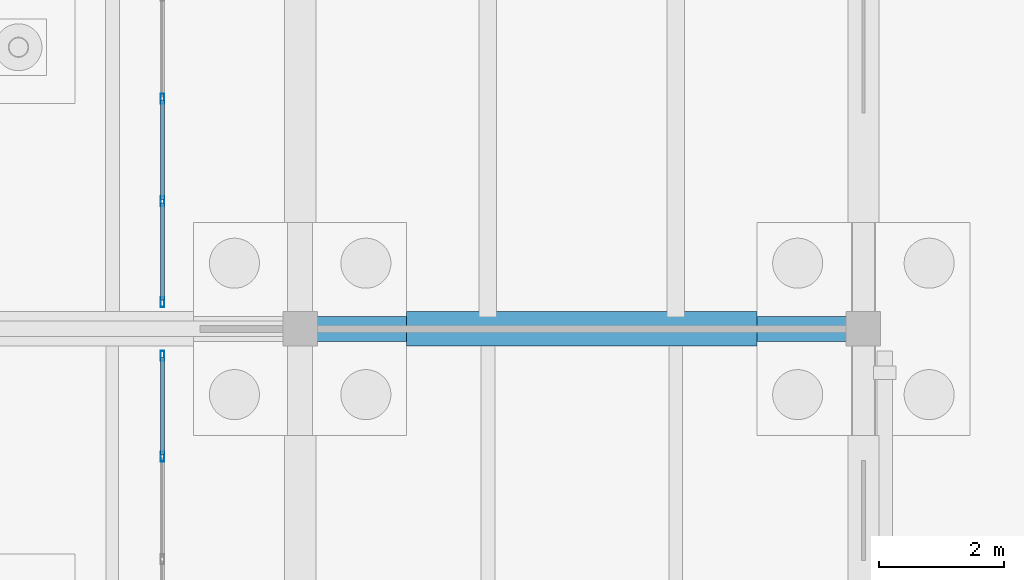
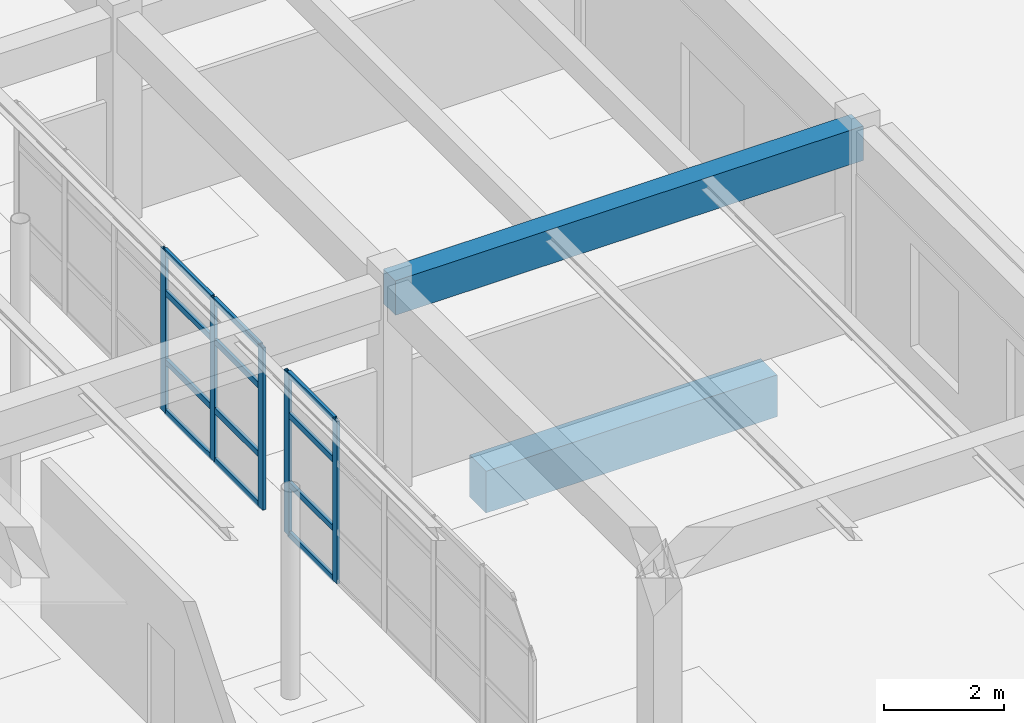
# One storey, part 37 of 186: 17 members, 2 beams, 2 elements without a shape of their own.
"""IFC4 building model written with IfcOpenShell, lengths in metres."""

from ifc_helpers import new_model, si_unit, direction, frame, origin, origin_2d, place, context, subcontext, project, spatial, rectangle, hollow_rectangle, extrude, material, layer, layer_set, material_profile, profile_set, type_object, element, aggregate, save


model = new_model("IFC4")

# Units and contexts
model_context = context("Model", 3, precision=1e-05, world=origin(), true_north=direction((0.0, 1.0)))
body_context = subcontext(model_context, "Body", "Model", "MODEL_VIEW")
ifc_project = project(units=[si_unit("LENGTHUNIT", "METRE"), si_unit("AREAUNIT", "SQUARE_METRE"), si_unit("VOLUMEUNIT", "CUBIC_METRE"), si_unit("PLANEANGLEUNIT", "RADIAN"), si_unit("MASSUNIT", "GRAM", prefix="KILO")], contexts=[model_context])

# Site, building, storey
site_placement = place(None, origin())
site = spatial("IfcSite", under=ifc_project, at=site_placement, CompositionType="ELEMENT")
building_placement = place(site_placement, origin())
building = spatial("IfcBuilding", under=site, at=building_placement, Name="Ornek Quay Market", CompositionType="ELEMENT")
storey_placement = place(building_placement, origin())
storey = spatial("IfcBuildingStorey", under=building, at=storey_placement, Name="L00", CompositionType="ELEMENT", Elevation=0.0)

# Beams
ifc_material_1 = material(Name="Concrete C35/45", Category="concrete")
ifc_material_profile_1 = material_profile(ifc_material_1, rectangle(XDim=0.550048828125, YDim=0.85009765625, at=origin_2d()), Name="RC 550x850", Category="concrete")
ifc_profile_set_1 = profile_set([ifc_material_profile_1], Name="Concrete C35/45")
beam_type_1 = type_object("IfcBeamType", Name="BM-GB-550x850", PredefinedType="BEAM", material=ifc_profile_set_1)
beam_1_placement = place(storey_placement, frame((19.699951171875, 38.0, -0.625), z_axis=(1.0, 0.0, 0.0), x_axis=(0.0, 1.0, 0.0)))
element("IfcBeam", 1, at=beam_1_placement, inside=storey, type_object=beam_type_1, Name="Ground tie beam GB-012", PredefinedType="BEAM", context=body_context, shape_type="SweptSolid", body=[
    extrude(rectangle(XDim=0.550048828125, YDim=0.85009765625, at=origin_2d()), origin(), (0.0, 0.0, 1.0), 5.60009765625),
])
ifc_material_profile_2 = material_profile(ifc_material_1, rectangle(XDim=0.39990234375, YDim=0.699951171875, at=origin_2d()), Name="RC 400x700", Category="concrete")
ifc_profile_set_2 = profile_set([ifc_material_profile_2], Name="Concrete C35/45")
beam_type_2 = type_object("IfcBeamType", Name="BM-WW-400x700", PredefinedType="BEAM", material=ifc_profile_set_2)
beam_2_placement = place(storey_placement, frame((18.0, 38.0, 3.8701171875), z_axis=(1.0, 0.0, 0.0), x_axis=(0.0, 1.0, 0.0)))
element("IfcBeam", 2, at=beam_2_placement, inside=storey, type_object=beam_type_2, Name="Primary beam B-WW1-006", PredefinedType="BEAM", context=body_context, shape_type="SweptSolid", body=[
    extrude(rectangle(XDim=0.39990234375, YDim=0.699951171875, at=origin_2d()), origin(), (0.0, 0.0, 1.0), 9.0),
])

# Curtain wall, members
ifc_material_2 = material(Name="Anodised bronze aluminium and triple low-e glass", Category="aluminium")
ifc_layer = layer(ifc_material_2, 0.179931640625, Name="Anodised bronze aluminium and triple low-e glass", Category="aluminium")
ifc_layer_set = layer_set([ifc_layer], Name="Anodised bronze aluminium and triple low-e glass")
curtain_wall_type = type_object("IfcCurtainWallType", Name="CW-CONC-MOD1500", PredefinedType="USERDEFINED", material=ifc_layer_set)
curtain_wall_1_placement = place(storey_placement, origin())
curtain_wall_1 = element("IfcCurtainWall", 3, at=curtain_wall_1_placement, inside=storey, type_object=curtain_wall_type, Name="Curtain wall CW-134", ObjectType="CURTAIN WALL", PredefinedType="USERDEFINED")
ifc_material_3 = material(Name="Anodised aluminium 6063-T6", Category="aluminium")
ifc_material_profile_3 = material_profile(ifc_material_3, hollow_rectangle(XDim=0.06005859375, YDim=0.159912109375, WallThickness=0.00390625, at=origin_2d()), Name="CW-MUL-60x160", Category="aluminium")
ifc_profile_set_3 = profile_set([ifc_material_profile_3], Name="Anodised aluminium 6063-T6")
member_type_1 = type_object("IfcMemberType", Name="CW-MUL-60x160", PredefinedType="MULLION", material=ifc_profile_set_3)
member_1_placement = place(storey_placement, frame((15.800048828125, 35.9599609375, 0.0), z_axis=(0.0, 0.0, 1.0), x_axis=(-1.0, 0.0, 0.0)))
member_1 = element("IfcMember", 4, at=member_1_placement, type_object=member_type_1, Name="CW-134 mullion 5", PredefinedType="MULLION", context=body_context, shape_type="SweptSolid", body=[
    extrude(hollow_rectangle(XDim=0.06005859375, YDim=0.159912109375, WallThickness=0.00390625, at=origin_2d()), origin(), (0.0, 0.0, 1.0), 3.300048828125),
])
member_2_placement = place(storey_placement, frame((15.800048828125, 37.570068359375, 0.0), z_axis=(0.0, 0.0, 1.0), x_axis=(-1.0, 0.0, 0.0)))
member_2 = element("IfcMember", 5, at=member_2_placement, type_object=member_type_1, Name="CW-134 mullion 6", PredefinedType="MULLION", context=body_context, shape_type="SweptSolid", body=[
    extrude(hollow_rectangle(XDim=0.06005859375, YDim=0.159912109375, WallThickness=0.00390625, at=origin_2d()), origin(), (0.0, 0.0, 1.0), 3.300048828125),
])

curtain_wall_2_placement = place(storey_placement, origin())
curtain_wall_2 = element("IfcCurtainWall", 6, at=curtain_wall_2_placement, inside=storey, type_object=curtain_wall_type, Name="Curtain wall CW-136", ObjectType="CURTAIN WALL", PredefinedType="USERDEFINED")
member_3_placement = place(storey_placement, frame((15.800048828125, 38.429931640625, 0.0), z_axis=(0.0, 0.0, 1.0), x_axis=(-1.0, 0.0, 0.0)))
member_3 = element("IfcMember", 7, at=member_3_placement, type_object=member_type_1, Name="CW-136 mullion 1", PredefinedType="MULLION", context=body_context, shape_type="SweptSolid", body=[
    extrude(hollow_rectangle(XDim=0.06005859375, YDim=0.159912109375, WallThickness=0.00390625, at=origin_2d()), origin(), (0.0, 0.0, 1.0), 3.300048828125),
])
member_4_placement = place(storey_placement, frame((15.800048828125, 40.0400390625, 0.0), z_axis=(0.0, 0.0, 1.0), x_axis=(-1.0, 0.0, 0.0)))
member_4 = element("IfcMember", 8, at=member_4_placement, type_object=member_type_1, Name="CW-136 mullion 2", PredefinedType="MULLION", context=body_context, shape_type="SweptSolid", body=[
    extrude(hollow_rectangle(XDim=0.06005859375, YDim=0.159912109375, WallThickness=0.00390625, at=origin_2d()), origin(), (0.0, 0.0, 1.0), 3.300048828125),
])
member_5_placement = place(storey_placement, frame((15.800048828125, 41.679931640625, 0.0), z_axis=(0.0, 0.0, 1.0), x_axis=(-1.0, 0.0, 0.0)))
member_5 = element("IfcMember", 9, at=member_5_placement, type_object=member_type_1, Name="CW-136 mullion 3", PredefinedType="MULLION", context=body_context, shape_type="SweptSolid", body=[
    extrude(hollow_rectangle(XDim=0.06005859375, YDim=0.159912109375, WallThickness=0.00390625, at=origin_2d()), origin(), (0.0, 0.0, 1.0), 3.300048828125),
])

# Member
ifc_material_profile_4 = material_profile(ifc_material_3, hollow_rectangle(XDim=0.06005859375, YDim=0.1201171875, WallThickness=0.00390625, at=origin_2d()), Name="CW-TRN-60x120", Category="aluminium")
ifc_profile_set_4 = profile_set([ifc_material_profile_4], Name="Anodised aluminium 6063-T6")
member_type_2 = type_object("IfcMemberType", Name="CW-TRN-60x120", PredefinedType="USERDEFINED", material=ifc_profile_set_4)
member_6_placement = place(storey_placement, frame((15.800048828125, 35.989990234375, 0.030029296875), z_axis=(0.0, 1.0, 0.0), x_axis=(-1.0, 0.0, 0.0)))
member_6 = element("IfcMember", 10, at=member_6_placement, type_object=member_type_2, Name="CW-134 transom 5.1", ObjectType="TRANSOM", PredefinedType="USERDEFINED", context=body_context, shape_type="SweptSolid", body=[
    extrude(hollow_rectangle(XDim=0.06005859375, YDim=0.1201171875, WallThickness=0.00390625, at=origin_2d()), origin(), (0.0, 0.0, 1.0), 1.550048828125),
])

member_7_placement = place(storey_placement, frame((15.800048828125, 35.989990234375, 1.050048828125), z_axis=(0.0, 1.0, 0.0), x_axis=(-1.0, 0.0, 0.0)))
member_7 = element("IfcMember", 11, at=member_7_placement, type_object=member_type_2, Name="CW-134 transom 5.2", ObjectType="TRANSOM", PredefinedType="USERDEFINED", context=body_context, shape_type="SweptSolid", body=[
    extrude(hollow_rectangle(XDim=0.06005859375, YDim=0.1201171875, WallThickness=0.00390625, at=origin_2d()), origin(), (0.0, 0.0, 1.0), 1.550048828125),
])

member_8_placement = place(storey_placement, frame((15.800048828125, 35.989990234375, 2.449951171875), z_axis=(0.0, 1.0, 0.0), x_axis=(-1.0, 0.0, 0.0)))
member_8 = element("IfcMember", 12, at=member_8_placement, type_object=member_type_2, Name="CW-134 transom 5.3", ObjectType="TRANSOM", PredefinedType="USERDEFINED", context=body_context, shape_type="SweptSolid", body=[
    extrude(hollow_rectangle(XDim=0.06005859375, YDim=0.1201171875, WallThickness=0.00390625, at=origin_2d()), origin(), (0.0, 0.0, 1.0), 1.550048828125),
])

member_9_placement = place(storey_placement, frame((15.800048828125, 35.989990234375, 3.27001953125), z_axis=(0.0, 1.0, 0.0), x_axis=(-1.0, 0.0, 0.0)))
member_9 = element("IfcMember", 13, at=member_9_placement, type_object=member_type_2, Name="CW-134 transom 5.4", ObjectType="TRANSOM", PredefinedType="USERDEFINED", context=body_context, shape_type="SweptSolid", body=[
    extrude(hollow_rectangle(XDim=0.06005859375, YDim=0.1201171875, WallThickness=0.00390625, at=origin_2d()), origin(), (0.0, 0.0, 1.0), 1.550048828125),
])

aggregate(curtain_wall_1, [member_1, member_2, member_6, member_7, member_8, member_9])

member_10_placement = place(storey_placement, frame((15.800048828125, 38.4599609375, 0.030029296875), z_axis=(0.0, 1.0, 0.0), x_axis=(-1.0, 0.0, 0.0)))
member_10 = element("IfcMember", 14, at=member_10_placement, type_object=member_type_2, Name="CW-136 transom 1.1", ObjectType="TRANSOM", PredefinedType="USERDEFINED", context=body_context, shape_type="SweptSolid", body=[
    extrude(hollow_rectangle(XDim=0.06005859375, YDim=0.1201171875, WallThickness=0.00390625, at=origin_2d()), origin(), (0.0, 0.0, 1.0), 1.550048828125),
])

member_11_placement = place(storey_placement, frame((15.800048828125, 38.4599609375, 1.050048828125), z_axis=(0.0, 1.0, 0.0), x_axis=(-1.0, 0.0, 0.0)))
member_11 = element("IfcMember", 15, at=member_11_placement, type_object=member_type_2, Name="CW-136 transom 1.2", ObjectType="TRANSOM", PredefinedType="USERDEFINED", context=body_context, shape_type="SweptSolid", body=[
    extrude(hollow_rectangle(XDim=0.06005859375, YDim=0.1201171875, WallThickness=0.00390625, at=origin_2d()), origin(), (0.0, 0.0, 1.0), 1.550048828125),
])

member_12_placement = place(storey_placement, frame((15.800048828125, 38.4599609375, 2.449951171875), z_axis=(0.0, 1.0, 0.0), x_axis=(-1.0, 0.0, 0.0)))
member_12 = element("IfcMember", 16, at=member_12_placement, type_object=member_type_2, Name="CW-136 transom 1.3", ObjectType="TRANSOM", PredefinedType="USERDEFINED", context=body_context, shape_type="SweptSolid", body=[
    extrude(hollow_rectangle(XDim=0.06005859375, YDim=0.1201171875, WallThickness=0.00390625, at=origin_2d()), origin(), (0.0, 0.0, 1.0), 1.550048828125),
])

member_13_placement = place(storey_placement, frame((15.800048828125, 38.4599609375, 3.27001953125), z_axis=(0.0, 1.0, 0.0), x_axis=(-1.0, 0.0, 0.0)))
member_13 = element("IfcMember", 17, at=member_13_placement, type_object=member_type_2, Name="CW-136 transom 1.4", ObjectType="TRANSOM", PredefinedType="USERDEFINED", context=body_context, shape_type="SweptSolid", body=[
    extrude(hollow_rectangle(XDim=0.06005859375, YDim=0.1201171875, WallThickness=0.00390625, at=origin_2d()), origin(), (0.0, 0.0, 1.0), 1.550048828125),
])

member_14_placement = place(storey_placement, frame((15.800048828125, 40.070068359375, 0.030029296875), z_axis=(0.0, 1.0, 0.0), x_axis=(-1.0, 0.0, 0.0)))
member_14 = element("IfcMember", 18, at=member_14_placement, type_object=member_type_2, Name="CW-136 transom 2.1", ObjectType="TRANSOM", PredefinedType="USERDEFINED", context=body_context, shape_type="SweptSolid", body=[
    extrude(hollow_rectangle(XDim=0.06005859375, YDim=0.1201171875, WallThickness=0.00390625, at=origin_2d()), origin(), (0.0, 0.0, 1.0), 1.579833984375),
])

member_15_placement = place(storey_placement, frame((15.800048828125, 40.070068359375, 1.050048828125), z_axis=(0.0, 1.0, 0.0), x_axis=(-1.0, 0.0, 0.0)))
member_15 = element("IfcMember", 19, at=member_15_placement, type_object=member_type_2, Name="CW-136 transom 2.2", ObjectType="TRANSOM", PredefinedType="USERDEFINED", context=body_context, shape_type="SweptSolid", body=[
    extrude(hollow_rectangle(XDim=0.06005859375, YDim=0.1201171875, WallThickness=0.00390625, at=origin_2d()), origin(), (0.0, 0.0, 1.0), 1.579833984375),
])

member_16_placement = place(storey_placement, frame((15.800048828125, 40.070068359375, 2.449951171875), z_axis=(0.0, 1.0, 0.0), x_axis=(-1.0, 0.0, 0.0)))
member_16 = element("IfcMember", 20, at=member_16_placement, type_object=member_type_2, Name="CW-136 transom 2.3", ObjectType="TRANSOM", PredefinedType="USERDEFINED", context=body_context, shape_type="SweptSolid", body=[
    extrude(hollow_rectangle(XDim=0.06005859375, YDim=0.1201171875, WallThickness=0.00390625, at=origin_2d()), origin(), (0.0, 0.0, 1.0), 1.579833984375),
])

member_17_placement = place(storey_placement, frame((15.800048828125, 40.070068359375, 3.27001953125), z_axis=(0.0, 1.0, 0.0), x_axis=(-1.0, 0.0, 0.0)))
member_17 = element("IfcMember", 21, at=member_17_placement, type_object=member_type_2, Name="CW-136 transom 2.4", ObjectType="TRANSOM", PredefinedType="USERDEFINED", context=body_context, shape_type="SweptSolid", body=[
    extrude(hollow_rectangle(XDim=0.06005859375, YDim=0.1201171875, WallThickness=0.00390625, at=origin_2d()), origin(), (0.0, 0.0, 1.0), 1.579833984375),
])

aggregate(curtain_wall_2, [member_3, member_4, member_5, member_10, member_11, member_12, member_13, member_14, member_15, member_16, member_17])

save(model, "model.ifc")
